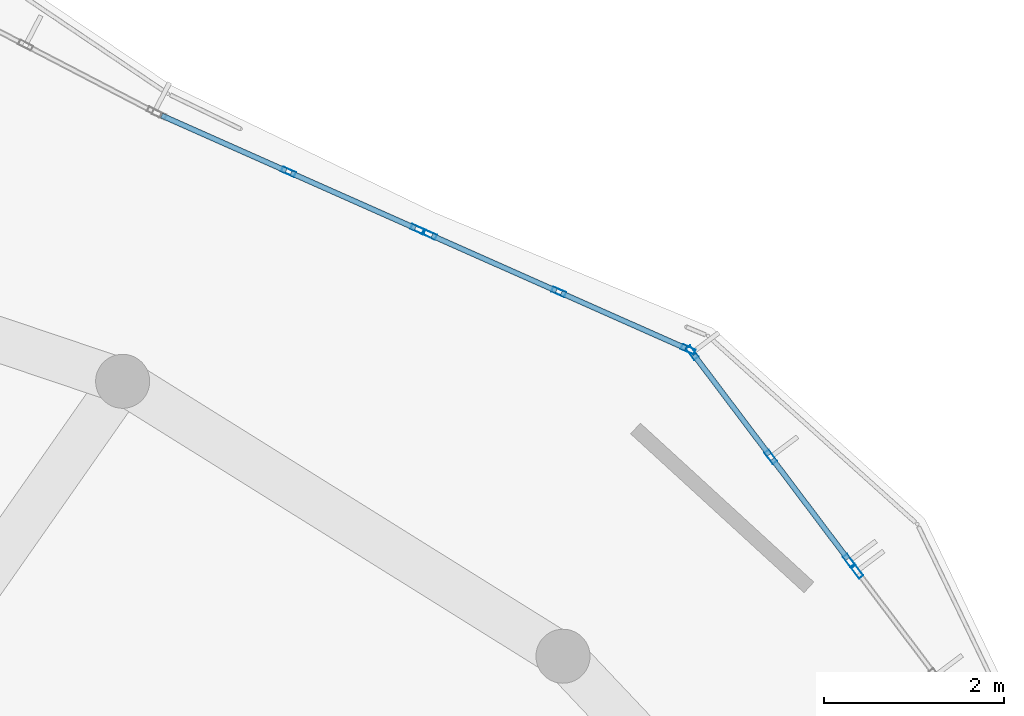
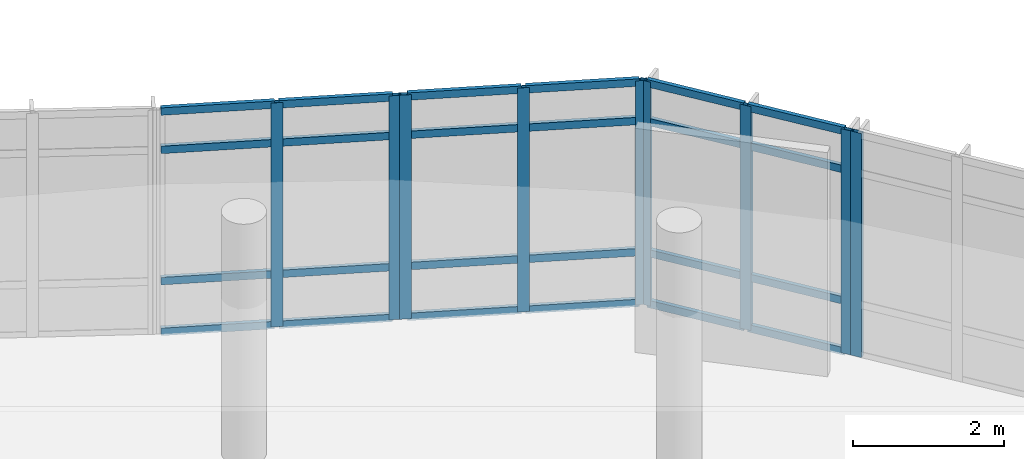
# One storey, part 45 of 74: 33 members, 4 elements without a shape of their own.
"""IFC4 building model written with IfcOpenShell, lengths in metres."""

import ifcopenshell
import ifcopenshell.guid

model = None  # the IFC model being written
_history = None  # IfcOwnerHistory: only IFC2X3 demands one
_inside = {}  # id of a spatial element -> (the spatial element, [elements in it])
_under = {}  # id of a project, library or spatial element -> (it, [spatial elements below it])
_declared = {}  # id of a project -> (the project, [libraries it declares])
_typed = {}  # id of a type object -> (the type object, [elements of that type])
_made_of = {}  # id of a material, layer set ... -> (it, [elements and type objects made of it])


def new_model(schema):
    """Start an empty IFC model of exactly this schema.

    Asked for "IFC4X3", IfcOpenShell would pick the latest addendum, in which some entities
    have other attributes; the version numbers below select the first issue.
    IFC2X3 requires an IfcOwnerHistory on every rooted entity: one is made here for all.
    """
    global model, _history
    if schema == "IFC4X3":
        model = ifcopenshell.file(schema_version=(4, 3, 0, 0))
    else:
        model = ifcopenshell.file(schema=schema)
    _inside.clear()
    _under.clear()
    _declared.clear()
    _typed.clear()
    _made_of.clear()
    _history = None
    if model.schema == "IFC2X3":
        org = make("IfcOrganization", Name="unknown")
        user = make(
            "IfcPersonAndOrganization",
            ThePerson=make("IfcPerson", FamilyName="unknown"),
            TheOrganization=org,
        )
        app = make(
            "IfcApplication",
            ApplicationDeveloper=org,
            Version="unknown",
            ApplicationFullName="unknown",
            ApplicationIdentifier="unknown",
        )
        _history = make(
            "IfcOwnerHistory",
            OwningUser=user,
            OwningApplication=app,
            ChangeAction="ADDED",
            CreationDate=0,
        )
    return model


def make(cls, **values):
    """One entity of the class cls with the attributes given. An attribute that is None is left unset."""
    return model.create_entity(
        cls, **{name: value for name, value in values.items() if value is not None}
    )


def rooted(cls, **values):
    """An entity with a GlobalId (a new one), such as an element, a storey or a relation."""
    return make(cls, GlobalId=ifcopenshell.guid.new(), OwnerHistory=_history, **values)


def si_unit(unit_type, name, prefix=None):
    """IfcSIUnit, for example si_unit("LENGTHUNIT", "METRE", prefix="MILLI")."""
    return make("IfcSIUnit", UnitType=unit_type, Prefix=prefix, Name=name)


def derived_unit(unit_type, elements):
    """IfcDerivedUnit: a product of units, each with its exponent."""
    return make(
        "IfcDerivedUnit",
        Elements=[
            make("IfcDerivedUnitElement", Unit=unit, Exponent=power)
            for unit, power in elements
        ],
        UnitType=unit_type,
    )


def assignment(units):
    """IfcUnitAssignment: the units of a project."""
    return None if units is None else make("IfcUnitAssignment", Units=units)


def point(xyz):
    """IfcCartesianPoint."""
    return None if xyz is None else make("IfcCartesianPoint", Coordinates=xyz)


def direction(xyz):
    """IfcDirection."""
    return None if xyz is None else make("IfcDirection", DirectionRatios=xyz)


def frame(location, z_axis=None, x_axis=None):
    """IfcAxis2Placement3D, a coordinate frame: its origin and axes. An axis left out is left unset."""
    return make(
        "IfcAxis2Placement3D",
        Location=point(location),
        Axis=direction(z_axis),
        RefDirection=direction(x_axis),
    )


def frame_2d(location, x_axis=None):
    """IfcAxis2Placement2D, a coordinate frame in the plane: its origin and x axis."""
    return make(
        "IfcAxis2Placement2D", Location=point(location), RefDirection=direction(x_axis)
    )


def origin():
    """The frame at (0, 0, 0) with its axes left unset."""
    return frame((0.0, 0.0, 0.0))


def origin_2d():
    """The frame at (0, 0) in the plane with its x axis left unset."""
    return frame_2d((0.0, 0.0))


def place(relative_to, where):
    """IfcLocalPlacement: puts the frame where relative to a parent placement (None: the world)."""
    return make(
        "IfcLocalPlacement", PlacementRelTo=relative_to, RelativePlacement=where
    )


def context(
    kind, dimensions, precision=None, world=None, true_north=None, identifier=None
):
    """IfcGeometricRepresentationContext, for example the 3D "Model" context."""
    return make(
        "IfcGeometricRepresentationContext",
        ContextIdentifier=identifier,
        ContextType=kind,
        CoordinateSpaceDimension=dimensions,
        Precision=precision,
        WorldCoordinateSystem=world,
        TrueNorth=true_north,
    )


def subcontext(parent, identifier, kind, view, scale=None):
    """IfcGeometricRepresentationSubContext, for example "Body" below "Model"."""
    return make(
        "IfcGeometricRepresentationSubContext",
        ContextIdentifier=identifier,
        ContextType=kind,
        ParentContext=parent,
        TargetScale=scale,
        TargetView=view,
    )


def project(units=None, contexts=None):
    """IfcProject with its units and contexts."""
    return rooted(
        "IfcProject",
        Name="project",
        RepresentationContexts=contexts,
        UnitsInContext=assignment(units),
    )


def spatial(cls, under=None, at=None, **own):
    """A site, building, storey or space (cls), placed at a placement, below another one or the project."""
    s = rooted(cls, ObjectPlacement=at, **own)
    if under is not None:
        _under.setdefault(under.id(), (under, []))[1].append(s)
    return s


def profile(cls, at=None, kind="AREA", **sizes):
    """A parametric profile (cls). Its sizes go by their IFC names, for example OverallWidth=200.0."""
    return make(cls, ProfileType=kind, Position=at, **sizes)


def hollow_rectangle(**sizes):
    """IfcRectangleHollowProfileDef."""
    return profile("IfcRectangleHollowProfileDef", **sizes)


def extrude(swept, where, along, depth):
    """IfcExtrudedAreaSolid: the profile swept, set in the frame where, extruded along a direction by depth."""
    return make(
        "IfcExtrudedAreaSolid",
        SweptArea=swept,
        Position=where,
        ExtrudedDirection=direction(along),
        Depth=depth,
    )


def shape(context_of_items, identifier, shape_type, items):
    """IfcShapeRepresentation: the items that make up one representation, for example the "Body"."""
    return make(
        "IfcShapeRepresentation",
        ContextOfItems=context_of_items,
        RepresentationIdentifier=identifier,
        RepresentationType=shape_type,
        Items=items,
    )


def material(Name=None, Category=None):
    """IfcMaterial."""
    return make("IfcMaterial", Name=Name, Category=Category)


def layer(
    of_material, thickness, ventilated=None, Name=None, Category=None, Priority=None
):
    """IfcMaterialLayer: one layer of a wall or slab, of a material (None: an air gap)."""
    return make(
        "IfcMaterialLayer",
        Material=of_material,
        LayerThickness=thickness,
        IsVentilated=ventilated,
        Name=Name,
        Category=Category,
        Priority=Priority,
    )


def layer_set(layers, Name=None):
    """IfcMaterialLayerSet."""
    return make("IfcMaterialLayerSet", MaterialLayers=layers, LayerSetName=Name)


def material_profile(
    of_material, cross_section, Name=None, Category=None, Priority=None
):
    """IfcMaterialProfile: a cross section and its material."""
    return make(
        "IfcMaterialProfile",
        Name=Name,
        Material=of_material,
        Profile=cross_section,
        Priority=Priority,
        Category=Category,
    )


def profile_set(profiles, Name=None, composite=None):
    """IfcMaterialProfileSet."""
    return make(
        "IfcMaterialProfileSet",
        Name=Name,
        MaterialProfiles=profiles,
        CompositeProfile=composite,
    )


def made_of(thing, what):
    """Note that an element or type object is made of a material, layer set ...; save() writes the relation."""
    if what is not None:
        _made_of.setdefault(what.id(), (what, []))[1].append(thing)
    return thing


def type_object(cls, material=None, **own):
    """A type object (cls), such as IfcWallType, which elements share."""
    return made_of(rooted(cls, **own), material)


def element(
    cls,
    number,
    at=None,
    inside=None,
    cuts=None,
    type_object=None,
    material=None,
    context=None,
    identifier="Body",
    shape_type=None,
    held_by="IfcProductDefinitionShape",
    body=None,
    shapes=None,
    **own,
):
    """One element of the class cls, such as IfcWall. Its Tag is "e" and its number.

    at: its placement. inside: the storey or other place that contains it. cuts: it is an
    opening in that element (IfcRelVoidsElement). A single representation is given by context,
    identifier, shape_type and body (its items); several are given by shapes. held_by: the class
    of the entity that holds the representations. save() writes the other relations.
    """
    e = rooted(cls, Tag="e%d" % number, ObjectPlacement=at, **own)
    if body is not None:
        shapes = [shape(context, identifier, shape_type, body)]
    if shapes is not None:
        e.Representation = make(held_by, Representations=shapes)
    if inside is not None:
        _inside.setdefault(inside.id(), (inside, []))[1].append(e)
    if cuts is not None:
        rooted(
            "IfcRelVoidsElement", RelatingBuildingElement=cuts, RelatedOpeningElement=e
        )
    if type_object is not None:
        _typed.setdefault(type_object.id(), (type_object, []))[1].append(e)
    return made_of(e, material)


def aggregate(whole, parts):
    """IfcRelAggregates: a whole, such as a stair, and the parts it consists of."""
    return rooted("IfcRelAggregates", RelatingObject=whole, RelatedObjects=parts)


def save(model, path):
    """Write the relations noted so far, then the file.

    IfcRelAggregates (storeys below a building ...), IfcRelContainedInSpatialStructure (elements
    in a storey), IfcRelDefinesByType, IfcRelAssociatesMaterial and IfcRelDeclares: one each for
    every whole, place, type object, material and project.
    """
    for whole, parts in _under.values():
        aggregate(whole, parts)
    for where, things in _inside.values():
        rooted(
            "IfcRelContainedInSpatialStructure",
            RelatedElements=things,
            RelatingStructure=where,
        )
    for kind, things in _typed.values():
        rooted("IfcRelDefinesByType", RelatedObjects=things, RelatingType=kind)
    for what, things in _made_of.values():
        rooted("IfcRelAssociatesMaterial", RelatedObjects=things, RelatingMaterial=what)
    for by, libraries in _declared.values():
        rooted("IfcRelDeclares", RelatingContext=by, RelatedDefinitions=libraries)
    model.write(path)


model = new_model("IFC4")

# Units and contexts
model_context = context("Model", 3, precision=1e-05, world=origin(), true_north=direction((0.0, 1.0)))
body_context = subcontext(model_context, "Body", "Model", "MODEL_VIEW")
ifc_project = project(units=[si_unit("LENGTHUNIT", "METRE"), si_unit("AREAUNIT", "SQUARE_METRE"), si_unit("VOLUMEUNIT", "CUBIC_METRE"), si_unit("PLANEANGLEUNIT", "RADIAN"), si_unit("MASSUNIT", "GRAM", prefix="KILO"), derived_unit("THERMALTRANSMITTANCEUNIT", [(si_unit("POWERUNIT", "WATT"), 1), (si_unit("LENGTHUNIT", "METRE"), -2), (si_unit("THERMODYNAMICTEMPERATUREUNIT", "KELVIN"), -1)])], contexts=[model_context])

# Site, building, storey
site_placement = place(None, origin())
site = spatial("IfcSite", under=ifc_project, at=site_placement, CompositionType="ELEMENT")
building_placement = place(site_placement, origin())
building = spatial("IfcBuilding", under=site, at=building_placement, Name="Elbkamm Science Centre", CompositionType="ELEMENT")
storey_placement = place(building_placement, frame((0.0, 0.0, 14.39990234375)))
storey = spatial("IfcBuildingStorey", under=building, at=storey_placement, Name="L03", CompositionType="ELEMENT", Elevation=14.39990234375)

# Curtain wall, member
ifc_material_1 = material(Name="Powder-coated aluminium and triple low-E glazing", Category="aluminium")
ifc_layer_1 = layer(ifc_material_1, 0.159912109375)
ifc_layer_set_1 = layer_set([ifc_layer_1], Name="Powder-coated aluminium and triple low-E glazing")
curtain_wall_type_1 = type_object("IfcCurtainWallType", Name="CW-UNIT-2960x3620", PredefinedType="USERDEFINED", material=ifc_layer_set_1)
curtain_wall_1_placement = place(storey_placement, origin())
curtain_wall_1 = element("IfcCurtainWall", 1, at=curtain_wall_1_placement, inside=storey, type_object=curtain_wall_type_1, Name="L03 Unitised Curtain Wall 049", ObjectType="UNITISED CURTAIN WALL", PredefinedType="USERDEFINED")
ifc_material_2 = material(Name="Powder-coated aluminium EN AW-6060", Category="aluminium")
ifc_material_profile_1 = material_profile(ifc_material_2, hollow_rectangle(XDim=0.06005859375, YDim=0.159912109375, WallThickness=0.00390625, at=origin_2d()), Name="ALU M60x160")
ifc_profile_set_1 = profile_set([ifc_material_profile_1], Name="Powder-coated aluminium EN AW-6060")
member_type_1 = type_object("IfcMemberType", Name="CW-MUL-60x160", PredefinedType="MULLION", material=ifc_profile_set_1)
member_1_placement = place(storey_placement, frame((82.951171875, 81.72021484375, 0.0), z_axis=(0.0, 0.0, 1.0), x_axis=(-0.798585651148, -0.601881182445, 0.0)))
member_1 = element("IfcMember", 2, at=member_1_placement, type_object=member_type_1, Name="CW-022 mullion 3", PredefinedType="MULLION", context=body_context, shape_type="SweptSolid", body=[
    extrude(hollow_rectangle(XDim=0.06005859375, YDim=0.159912109375, WallThickness=0.00390625, at=origin_2d()), origin(), (0.0, 0.0, 1.0), 3.6201171875),
])
aggregate(curtain_wall_1, [member_1])

# Curtain wall, members
curtain_wall_2_placement = place(storey_placement, origin())
curtain_wall_2 = element("IfcCurtainWall", 3, at=curtain_wall_2_placement, inside=storey, type_object=curtain_wall_type_1, Name="L03 Unitised Curtain Wall 050", ObjectType="UNITISED CURTAIN WALL", PredefinedType="USERDEFINED")
member_2_placement = place(storey_placement, frame((82.866943359375, 81.83203125, 0.0), z_axis=(0.0, 0.0, 1.0), x_axis=(-0.798585651148, -0.601881182445, 0.0)))
member_2 = element("IfcMember", 4, at=member_2_placement, type_object=member_type_1, Name="CW-022 mullion 1", PredefinedType="MULLION", context=body_context, shape_type="SweptSolid", body=[
    extrude(hollow_rectangle(XDim=0.06005859375, YDim=0.159912109375, WallThickness=0.00390625, at=origin_2d()), origin(), (0.0, 0.0, 1.0), 3.6201171875),
])
member_3_placement = place(storey_placement, frame((81.9951171875, 82.98876953125, 0.0), z_axis=(0.0, 0.0, 1.0), x_axis=(-0.798585651148, -0.601881182445, 0.0)))
member_3 = element("IfcMember", 5, at=member_3_placement, type_object=member_type_1, Name="CW-022 mullion 2", PredefinedType="MULLION", context=body_context, shape_type="SweptSolid", body=[
    extrude(hollow_rectangle(XDim=0.06005859375, YDim=0.159912109375, WallThickness=0.00390625, at=origin_2d()), origin(), (0.0, 0.0, 1.0), 3.6201171875),
])
member_4_placement = place(storey_placement, frame((81.123046875, 84.145751953125, 0.0), z_axis=(0.0, 0.0, 1.0), x_axis=(-0.798585651148, -0.601881182445, 0.0)))
member_4 = element("IfcMember", 6, at=member_4_placement, type_object=member_type_1, Name="CW-022 mullion 3", PredefinedType="MULLION", context=body_context, shape_type="SweptSolid", body=[
    extrude(hollow_rectangle(XDim=0.06005859375, YDim=0.159912109375, WallThickness=0.00390625, at=origin_2d()), origin(), (0.0, 0.0, 1.0), 3.6201171875),
])

ifc_layer_2 = layer(ifc_material_1, 0.159912109375)
ifc_layer_set_2 = layer_set([ifc_layer_2], Name="Powder-coated aluminium and triple low-E glazing")
curtain_wall_type_2 = type_object("IfcCurtainWallType", Name="CW-UNIT-3200x3620", PredefinedType="USERDEFINED", material=ifc_layer_set_2)
curtain_wall_3_placement = place(storey_placement, origin())
curtain_wall_3 = element("IfcCurtainWall", 7, at=curtain_wall_3_placement, inside=storey, type_object=curtain_wall_type_2, Name="L03 Unitised Curtain Wall 051", ObjectType="UNITISED CURTAIN WALL", PredefinedType="USERDEFINED")
member_5_placement = place(storey_placement, frame((81.07763671875, 84.181884765625, 0.0), z_axis=(0.0, 0.0, 1.0), x_axis=(-0.405944352522, -0.913897796614, 0.0)))
member_5 = element("IfcMember", 8, at=member_5_placement, type_object=member_type_1, Name="CW-023 mullion 1", PredefinedType="MULLION", context=body_context, shape_type="SweptSolid", body=[
    extrude(hollow_rectangle(XDim=0.06005859375, YDim=0.159912109375, WallThickness=0.00390625, at=origin_2d()), origin(), (0.0, 0.0, 1.0), 3.6201171875),
])
member_6_placement = place(storey_placement, frame((79.6416015625, 84.819580078125, 0.0), z_axis=(0.0, 0.0, 1.0), x_axis=(-0.405944352522, -0.913897796614, 0.0)))
member_6 = element("IfcMember", 9, at=member_6_placement, type_object=member_type_1, Name="CW-023 mullion 2", PredefinedType="MULLION", context=body_context, shape_type="SweptSolid", body=[
    extrude(hollow_rectangle(XDim=0.06005859375, YDim=0.159912109375, WallThickness=0.00390625, at=origin_2d()), origin(), (0.0, 0.0, 1.0), 3.6201171875),
])
member_7_placement = place(storey_placement, frame((78.20556640625, 85.45751953125, 0.0), z_axis=(0.0, 0.0, 1.0), x_axis=(-0.405944352522, -0.913897796614, 0.0)))
member_7 = element("IfcMember", 10, at=member_7_placement, type_object=member_type_1, Name="CW-023 mullion 3", PredefinedType="MULLION", context=body_context, shape_type="SweptSolid", body=[
    extrude(hollow_rectangle(XDim=0.06005859375, YDim=0.159912109375, WallThickness=0.00390625, at=origin_2d()), origin(), (0.0, 0.0, 1.0), 3.6201171875),
])

curtain_wall_4_placement = place(storey_placement, origin())
curtain_wall_4 = element("IfcCurtainWall", 11, at=curtain_wall_4_placement, inside=storey, type_object=curtain_wall_type_2, Name="L03 Unitised Curtain Wall 052", ObjectType="UNITISED CURTAIN WALL", PredefinedType="USERDEFINED")
member_8_placement = place(storey_placement, frame((78.07763671875, 85.514404296875, 0.0), z_axis=(0.0, 0.0, 1.0), x_axis=(-0.405944352522, -0.913897796614, 0.0)))
member_8 = element("IfcMember", 12, at=member_8_placement, type_object=member_type_1, Name="CW-023 mullion 1", PredefinedType="MULLION", context=body_context, shape_type="SweptSolid", body=[
    extrude(hollow_rectangle(XDim=0.06005859375, YDim=0.159912109375, WallThickness=0.00390625, at=origin_2d()), origin(), (0.0, 0.0, 1.0), 3.6201171875),
])
member_9_placement = place(storey_placement, frame((76.6416015625, 86.15234375, 0.0), z_axis=(0.0, 0.0, 1.0), x_axis=(-0.405944352522, -0.913897796614, 0.0)))
member_9 = element("IfcMember", 13, at=member_9_placement, type_object=member_type_1, Name="CW-023 mullion 2", PredefinedType="MULLION", context=body_context, shape_type="SweptSolid", body=[
    extrude(hollow_rectangle(XDim=0.06005859375, YDim=0.159912109375, WallThickness=0.00390625, at=origin_2d()), origin(), (0.0, 0.0, 1.0), 3.6201171875),
])

# Member
ifc_material_profile_2 = material_profile(ifc_material_2, hollow_rectangle(XDim=0.06005859375, YDim=0.1201171875, WallThickness=0.00341796875, at=origin_2d()), Name="ALU T60x120")
ifc_profile_set_2 = profile_set([ifc_material_profile_2], Name="Powder-coated aluminium EN AW-6060")
member_type_2 = type_object("IfcMemberType", Name="CW-TRN-60x120", PredefinedType="USERDEFINED", material=ifc_profile_set_2)
member_10_placement = place(storey_placement, frame((82.848876953125, 81.85595703125, 0.030029296875), z_axis=(-0.601855114948, 0.798605297135, 0.0), x_axis=(-0.798605297135, -0.601855114948, 0.0)))
member_10 = element("IfcMember", 14, at=member_10_placement, type_object=member_type_2, Name="CW-022 transom 1.1", ObjectType="TRANSOM", PredefinedType="USERDEFINED", context=body_context, shape_type="SweptSolid", body=[
    extrude(hollow_rectangle(XDim=0.06005859375, YDim=0.1201171875, WallThickness=0.00341796875, at=origin_2d()), origin(), (0.0, 0.0, 1.0), 1.388427734375),
])

member_11_placement = place(storey_placement, frame((82.848876953125, 81.85595703125, 0.85009765625), z_axis=(-0.601855114948, 0.798605297135, 0.0), x_axis=(-0.798605297135, -0.601855114948, 0.0)))
member_11 = element("IfcMember", 15, at=member_11_placement, type_object=member_type_2, Name="CW-022 transom 1.2", ObjectType="TRANSOM", PredefinedType="USERDEFINED", context=body_context, shape_type="SweptSolid", body=[
    extrude(hollow_rectangle(XDim=0.06005859375, YDim=0.1201171875, WallThickness=0.00341796875, at=origin_2d()), origin(), (0.0, 0.0, 1.0), 1.388427734375),
])

member_12_placement = place(storey_placement, frame((82.848876953125, 81.85595703125, 2.97021484375), z_axis=(-0.601855114948, 0.798605297135, 0.0), x_axis=(-0.798605297135, -0.601855114948, 0.0)))
member_12 = element("IfcMember", 16, at=member_12_placement, type_object=member_type_2, Name="CW-022 transom 1.3", ObjectType="TRANSOM", PredefinedType="USERDEFINED", context=body_context, shape_type="SweptSolid", body=[
    extrude(hollow_rectangle(XDim=0.06005859375, YDim=0.1201171875, WallThickness=0.00341796875, at=origin_2d()), origin(), (0.0, 0.0, 1.0), 1.388427734375),
])

member_13_placement = place(storey_placement, frame((82.848876953125, 81.85595703125, 3.590087890625), z_axis=(-0.601855114948, 0.798605297135, 0.0), x_axis=(-0.798605297135, -0.601855114948, 0.0)))
member_13 = element("IfcMember", 17, at=member_13_placement, type_object=member_type_2, Name="CW-022 transom 1.4", ObjectType="TRANSOM", PredefinedType="USERDEFINED", context=body_context, shape_type="SweptSolid", body=[
    extrude(hollow_rectangle(XDim=0.06005859375, YDim=0.1201171875, WallThickness=0.00341796875, at=origin_2d()), origin(), (0.0, 0.0, 1.0), 1.388427734375),
])

member_14_placement = place(storey_placement, frame((81.97705078125, 83.0126953125, 0.030029296875), z_axis=(-0.601967234277, 0.798520787993, 0.0), x_axis=(-0.798520787993, -0.601967234277, 0.0)))
member_14 = element("IfcMember", 18, at=member_14_placement, type_object=member_type_2, Name="CW-022 transom 2.1", ObjectType="TRANSOM", PredefinedType="USERDEFINED", context=body_context, shape_type="SweptSolid", body=[
    extrude(hollow_rectangle(XDim=0.06005859375, YDim=0.1201171875, WallThickness=0.00341796875, at=origin_2d()), origin(), (0.0, 0.0, 1.0), 1.388671875),
])

member_15_placement = place(storey_placement, frame((81.97705078125, 83.0126953125, 0.85009765625), z_axis=(-0.601967234277, 0.798520787993, 0.0), x_axis=(-0.798520787993, -0.601967234277, 0.0)))
member_15 = element("IfcMember", 19, at=member_15_placement, type_object=member_type_2, Name="CW-022 transom 2.2", ObjectType="TRANSOM", PredefinedType="USERDEFINED", context=body_context, shape_type="SweptSolid", body=[
    extrude(hollow_rectangle(XDim=0.06005859375, YDim=0.1201171875, WallThickness=0.00341796875, at=origin_2d()), origin(), (0.0, 0.0, 1.0), 1.388671875),
])

member_16_placement = place(storey_placement, frame((81.97705078125, 83.0126953125, 2.97021484375), z_axis=(-0.601967234277, 0.798520787993, 0.0), x_axis=(-0.798520787993, -0.601967234277, 0.0)))
member_16 = element("IfcMember", 20, at=member_16_placement, type_object=member_type_2, Name="CW-022 transom 2.3", ObjectType="TRANSOM", PredefinedType="USERDEFINED", context=body_context, shape_type="SweptSolid", body=[
    extrude(hollow_rectangle(XDim=0.06005859375, YDim=0.1201171875, WallThickness=0.00341796875, at=origin_2d()), origin(), (0.0, 0.0, 1.0), 1.388671875),
])

member_17_placement = place(storey_placement, frame((81.97705078125, 83.0126953125, 3.590087890625), z_axis=(-0.601967234277, 0.798520787993, 0.0), x_axis=(-0.798520787993, -0.601967234277, 0.0)))
member_17 = element("IfcMember", 21, at=member_17_placement, type_object=member_type_2, Name="CW-022 transom 2.4", ObjectType="TRANSOM", PredefinedType="USERDEFINED", context=body_context, shape_type="SweptSolid", body=[
    extrude(hollow_rectangle(XDim=0.06005859375, YDim=0.1201171875, WallThickness=0.00341796875, at=origin_2d()), origin(), (0.0, 0.0, 1.0), 1.388671875),
])

aggregate(curtain_wall_2, [member_2, member_3, member_4, member_10, member_11, member_12, member_13, member_14, member_15, member_16, member_17])

member_18_placement = place(storey_placement, frame((81.05029296875, 84.19384765625, 0.030029296875), z_axis=(-0.913911433666, 0.405913650195, 0.0), x_axis=(-0.405913650195, -0.913911433666, 0.0)))
member_18 = element("IfcMember", 22, at=member_18_placement, type_object=member_type_2, Name="CW-023 transom 1.1", ObjectType="TRANSOM", PredefinedType="USERDEFINED", context=body_context, shape_type="SweptSolid", body=[
    extrude(hollow_rectangle(XDim=0.06005859375, YDim=0.1201171875, WallThickness=0.00341796875, at=origin_2d()), origin(), (0.0, 0.0, 1.0), 1.511474609375),
])

member_19_placement = place(storey_placement, frame((81.05029296875, 84.19384765625, 0.85009765625), z_axis=(-0.913911433666, 0.405913650195, 0.0), x_axis=(-0.405913650195, -0.913911433666, 0.0)))
member_19 = element("IfcMember", 23, at=member_19_placement, type_object=member_type_2, Name="CW-023 transom 1.2", ObjectType="TRANSOM", PredefinedType="USERDEFINED", context=body_context, shape_type="SweptSolid", body=[
    extrude(hollow_rectangle(XDim=0.06005859375, YDim=0.1201171875, WallThickness=0.00341796875, at=origin_2d()), origin(), (0.0, 0.0, 1.0), 1.511474609375),
])

member_20_placement = place(storey_placement, frame((81.05029296875, 84.19384765625, 2.97021484375), z_axis=(-0.913911433666, 0.405913650195, 0.0), x_axis=(-0.405913650195, -0.913911433666, 0.0)))
member_20 = element("IfcMember", 24, at=member_20_placement, type_object=member_type_2, Name="CW-023 transom 1.3", ObjectType="TRANSOM", PredefinedType="USERDEFINED", context=body_context, shape_type="SweptSolid", body=[
    extrude(hollow_rectangle(XDim=0.06005859375, YDim=0.1201171875, WallThickness=0.00341796875, at=origin_2d()), origin(), (0.0, 0.0, 1.0), 1.511474609375),
])

member_21_placement = place(storey_placement, frame((81.05029296875, 84.19384765625, 3.590087890625), z_axis=(-0.913911433666, 0.405913650195, 0.0), x_axis=(-0.405913650195, -0.913911433666, 0.0)))
member_21 = element("IfcMember", 25, at=member_21_placement, type_object=member_type_2, Name="CW-023 transom 1.4", ObjectType="TRANSOM", PredefinedType="USERDEFINED", context=body_context, shape_type="SweptSolid", body=[
    extrude(hollow_rectangle(XDim=0.06005859375, YDim=0.1201171875, WallThickness=0.00341796875, at=origin_2d()), origin(), (0.0, 0.0, 1.0), 1.511474609375),
])

member_22_placement = place(storey_placement, frame((79.6142578125, 84.831787109375, 0.030029296875), z_axis=(-0.913884813874, 0.405973579153, 0.0), x_axis=(-0.405973579153, -0.913884813874, 0.0)))
member_22 = element("IfcMember", 26, at=member_22_placement, type_object=member_type_2, Name="CW-023 transom 2.1", ObjectType="TRANSOM", PredefinedType="USERDEFINED", context=body_context, shape_type="SweptSolid", body=[
    extrude(hollow_rectangle(XDim=0.06005859375, YDim=0.1201171875, WallThickness=0.00341796875, at=origin_2d()), origin(), (0.0, 0.0, 1.0), 1.51123046875),
])

member_23_placement = place(storey_placement, frame((79.6142578125, 84.831787109375, 0.85009765625), z_axis=(-0.913884813874, 0.405973579153, 0.0), x_axis=(-0.405973579153, -0.913884813874, 0.0)))
member_23 = element("IfcMember", 27, at=member_23_placement, type_object=member_type_2, Name="CW-023 transom 2.2", ObjectType="TRANSOM", PredefinedType="USERDEFINED", context=body_context, shape_type="SweptSolid", body=[
    extrude(hollow_rectangle(XDim=0.06005859375, YDim=0.1201171875, WallThickness=0.00341796875, at=origin_2d()), origin(), (0.0, 0.0, 1.0), 1.51123046875),
])

member_24_placement = place(storey_placement, frame((79.6142578125, 84.831787109375, 2.97021484375), z_axis=(-0.913884813874, 0.405973579153, 0.0), x_axis=(-0.405973579153, -0.913884813874, 0.0)))
member_24 = element("IfcMember", 28, at=member_24_placement, type_object=member_type_2, Name="CW-023 transom 2.3", ObjectType="TRANSOM", PredefinedType="USERDEFINED", context=body_context, shape_type="SweptSolid", body=[
    extrude(hollow_rectangle(XDim=0.06005859375, YDim=0.1201171875, WallThickness=0.00341796875, at=origin_2d()), origin(), (0.0, 0.0, 1.0), 1.51123046875),
])

member_25_placement = place(storey_placement, frame((79.6142578125, 84.831787109375, 3.590087890625), z_axis=(-0.913884813874, 0.405973579153, 0.0), x_axis=(-0.405973579153, -0.913884813874, 0.0)))
member_25 = element("IfcMember", 29, at=member_25_placement, type_object=member_type_2, Name="CW-023 transom 2.4", ObjectType="TRANSOM", PredefinedType="USERDEFINED", context=body_context, shape_type="SweptSolid", body=[
    extrude(hollow_rectangle(XDim=0.06005859375, YDim=0.1201171875, WallThickness=0.00341796875, at=origin_2d()), origin(), (0.0, 0.0, 1.0), 1.51123046875),
])

aggregate(curtain_wall_3, [member_5, member_6, member_7, member_18, member_19, member_20, member_21, member_22, member_23, member_24, member_25])

member_26_placement = place(storey_placement, frame((78.05029296875, 85.526611328125, 0.030029296875), z_axis=(-0.913911433666, 0.405913650195, 0.0), x_axis=(-0.405913650195, -0.913911433666, 0.0)))
member_26 = element("IfcMember", 30, at=member_26_placement, type_object=member_type_2, Name="CW-023 transom 1.1", ObjectType="TRANSOM", PredefinedType="USERDEFINED", context=body_context, shape_type="SweptSolid", body=[
    extrude(hollow_rectangle(XDim=0.06005859375, YDim=0.1201171875, WallThickness=0.00341796875, at=origin_2d()), origin(), (0.0, 0.0, 1.0), 1.511474609375),
])

member_27_placement = place(storey_placement, frame((78.05029296875, 85.526611328125, 0.85009765625), z_axis=(-0.913911433666, 0.405913650195, 0.0), x_axis=(-0.405913650195, -0.913911433666, 0.0)))
member_27 = element("IfcMember", 31, at=member_27_placement, type_object=member_type_2, Name="CW-023 transom 1.2", ObjectType="TRANSOM", PredefinedType="USERDEFINED", context=body_context, shape_type="SweptSolid", body=[
    extrude(hollow_rectangle(XDim=0.06005859375, YDim=0.1201171875, WallThickness=0.00341796875, at=origin_2d()), origin(), (0.0, 0.0, 1.0), 1.511474609375),
])

member_28_placement = place(storey_placement, frame((78.05029296875, 85.526611328125, 2.97021484375), z_axis=(-0.913911433666, 0.405913650195, 0.0), x_axis=(-0.405913650195, -0.913911433666, 0.0)))
member_28 = element("IfcMember", 32, at=member_28_placement, type_object=member_type_2, Name="CW-023 transom 1.3", ObjectType="TRANSOM", PredefinedType="USERDEFINED", context=body_context, shape_type="SweptSolid", body=[
    extrude(hollow_rectangle(XDim=0.06005859375, YDim=0.1201171875, WallThickness=0.00341796875, at=origin_2d()), origin(), (0.0, 0.0, 1.0), 1.511474609375),
])

member_29_placement = place(storey_placement, frame((78.05029296875, 85.526611328125, 3.590087890625), z_axis=(-0.913911433666, 0.405913650195, 0.0), x_axis=(-0.405913650195, -0.913911433666, 0.0)))
member_29 = element("IfcMember", 33, at=member_29_placement, type_object=member_type_2, Name="CW-023 transom 1.4", ObjectType="TRANSOM", PredefinedType="USERDEFINED", context=body_context, shape_type="SweptSolid", body=[
    extrude(hollow_rectangle(XDim=0.06005859375, YDim=0.1201171875, WallThickness=0.00341796875, at=origin_2d()), origin(), (0.0, 0.0, 1.0), 1.511474609375),
])

member_30_placement = place(storey_placement, frame((76.6142578125, 86.164306640625, 0.030029296875), z_axis=(-0.913884813874, 0.405973579153, 0.0), x_axis=(-0.405973579153, -0.913884813874, 0.0)))
member_30 = element("IfcMember", 34, at=member_30_placement, type_object=member_type_2, Name="CW-023 transom 2.1", ObjectType="TRANSOM", PredefinedType="USERDEFINED", context=body_context, shape_type="SweptSolid", body=[
    extrude(hollow_rectangle(XDim=0.06005859375, YDim=0.1201171875, WallThickness=0.00341796875, at=origin_2d()), origin(), (0.0, 0.0, 1.0), 1.51123046875),
])

member_31_placement = place(storey_placement, frame((76.6142578125, 86.164306640625, 0.85009765625), z_axis=(-0.913884813874, 0.405973579153, 0.0), x_axis=(-0.405973579153, -0.913884813874, 0.0)))
member_31 = element("IfcMember", 35, at=member_31_placement, type_object=member_type_2, Name="CW-023 transom 2.2", ObjectType="TRANSOM", PredefinedType="USERDEFINED", context=body_context, shape_type="SweptSolid", body=[
    extrude(hollow_rectangle(XDim=0.06005859375, YDim=0.1201171875, WallThickness=0.00341796875, at=origin_2d()), origin(), (0.0, 0.0, 1.0), 1.51123046875),
])

member_32_placement = place(storey_placement, frame((76.6142578125, 86.164306640625, 2.97021484375), z_axis=(-0.913884813874, 0.405973579153, 0.0), x_axis=(-0.405973579153, -0.913884813874, 0.0)))
member_32 = element("IfcMember", 36, at=member_32_placement, type_object=member_type_2, Name="CW-023 transom 2.3", ObjectType="TRANSOM", PredefinedType="USERDEFINED", context=body_context, shape_type="SweptSolid", body=[
    extrude(hollow_rectangle(XDim=0.06005859375, YDim=0.1201171875, WallThickness=0.00341796875, at=origin_2d()), origin(), (0.0, 0.0, 1.0), 1.51123046875),
])

member_33_placement = place(storey_placement, frame((76.6142578125, 86.164306640625, 3.590087890625), z_axis=(-0.913884813874, 0.405973579153, 0.0), x_axis=(-0.405973579153, -0.913884813874, 0.0)))
member_33 = element("IfcMember", 37, at=member_33_placement, type_object=member_type_2, Name="CW-023 transom 2.4", ObjectType="TRANSOM", PredefinedType="USERDEFINED", context=body_context, shape_type="SweptSolid", body=[
    extrude(hollow_rectangle(XDim=0.06005859375, YDim=0.1201171875, WallThickness=0.00341796875, at=origin_2d()), origin(), (0.0, 0.0, 1.0), 1.51123046875),
])

aggregate(curtain_wall_4, [member_8, member_9, member_26, member_27, member_28, member_29, member_30, member_31, member_32, member_33])

save(model, "model.ifc")
